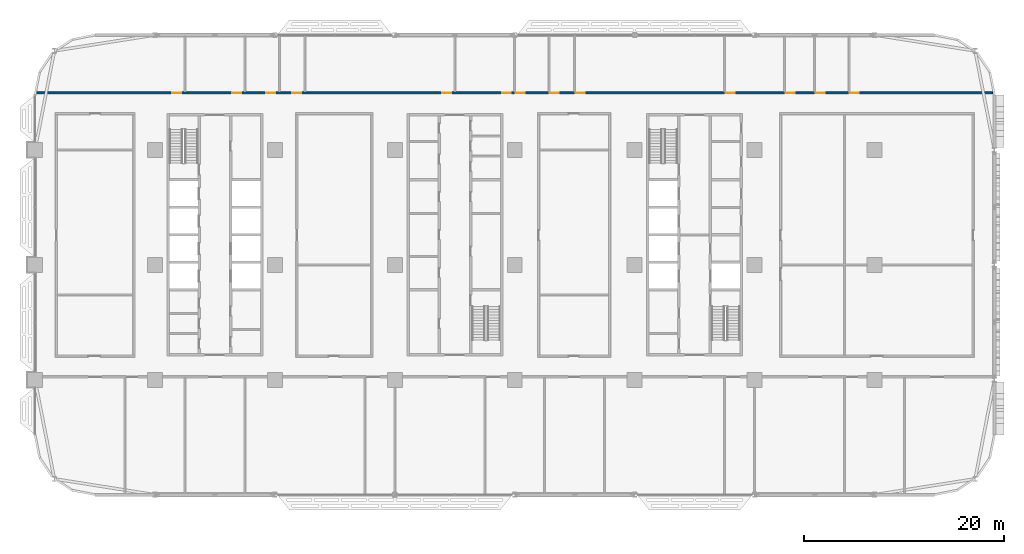
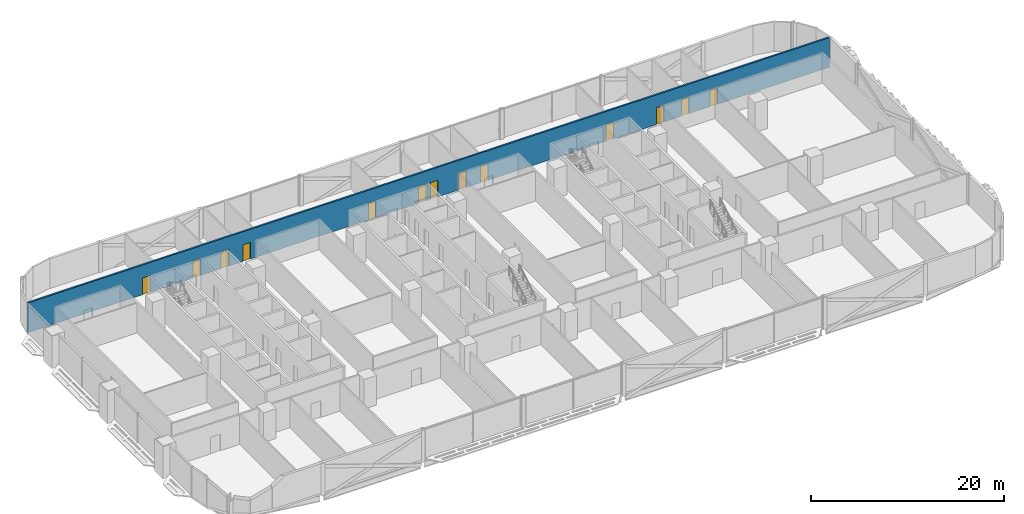
# One storey, part 15 of 29: 13 doors, 1 wall, 13 openings.
"""IFC4 building model written with IfcOpenShell, lengths in metres."""

from ifc_helpers import new_model, si_unit, direction, frame, frame_2d, origin, place, context, subcontext, project, spatial, rectangle, extrude, material, layer, layer_set, type_object, element, fill, save


model = new_model("IFC4")

# Units and contexts
model_context = context("Model", 3, precision=1e-05, world=origin(), true_north=direction((0.0, 1.0)))
body_context = subcontext(model_context, "Body", "Model", "MODEL_VIEW")
ifc_project = project(units=[si_unit("LENGTHUNIT", "METRE"), si_unit("AREAUNIT", "SQUARE_METRE"), si_unit("VOLUMEUNIT", "CUBIC_METRE"), si_unit("PLANEANGLEUNIT", "RADIAN"), si_unit("MASSUNIT", "GRAM", prefix="KILO")], contexts=[model_context])

# Site, building, storey
site_placement = place(None, origin())
site = spatial("IfcSite", under=ifc_project, at=site_placement, CompositionType="ELEMENT")
building_placement = place(site_placement, origin())
building = spatial("IfcBuilding", under=site, at=building_placement, Name="Mahtab Terrace Research Tower", CompositionType="ELEMENT")
storey_placement = place(building_placement, frame((0.0, 0.0, 76.10009765625)))
storey = spatial("IfcBuildingStorey", under=building, at=storey_placement, Name="L17", CompositionType="ELEMENT", Elevation=76.10009765625)

# Wall, openings, doors
ifc_material_1 = material(Name="Gypsum board corridor wall on steel studs", Category="steel")
ifc_layer = layer(ifc_material_1, 0.199951171875)
ifc_layer_set = layer_set([ifc_layer], Name="WALL CORRIDOR 200")
wall_type = type_object("IfcWallType", Name="WALL CORRIDOR 200", PredefinedType="PARTITIONING", material=ifc_layer_set)
wall_placement = place(storey_placement, frame((-41.97509765625, 17.199951171875, 0.0), z_axis=(0.0, 0.0, 1.0), x_axis=(1.0, 0.0, 0.0)))
wall = element("IfcWall", 1, at=wall_placement, inside=storey, type_object=wall_type, Name="L17-W024", PredefinedType="PARTITIONING", context=body_context, shape_type="SweptSolid", body=[
    extrude(rectangle(XDim=95.782470703125, YDim=0.199951171875, at=frame_2d((47.89111328125, 0.0))), origin(), (0.0, 0.0, 1.0), 3.75),
])
opening_1_placement = place(wall_placement, frame((13.699951171875, 0.0, 0.0)))
opening_1 = element("IfcOpeningElement", 2, at=opening_1_placement, cuts=wall, Name="Opening L17-126", PredefinedType="OPENING", context=body_context, shape_type="SweptSolid", body=[
    extrude(rectangle(XDim=0.89990234375, YDim=2.10009765625, at=frame_2d((0.449951171875, 1.050048828125))), frame((0.0, 0.10986328125, 0.0), z_axis=(0.0, -1.0, 0.0), x_axis=(1.0, 0.0, 0.0)), (0.0, 0.0, 1.0), 0.219970703125),
])
opening_2_placement = place(wall_placement, frame((19.699951171875, 0.0, 0.0)))
opening_2 = element("IfcOpeningElement", 3, at=opening_2_placement, cuts=wall, Name="Opening L17-127", PredefinedType="OPENING", context=body_context, shape_type="SweptSolid", body=[
    extrude(rectangle(XDim=0.89990234375, YDim=2.10009765625, at=frame_2d((0.449951171875, 1.050048828125))), frame((0.0, 0.10986328125, 0.0), z_axis=(0.0, -1.0, 0.0), x_axis=(1.0, 0.0, 0.0)), (0.0, 0.0, 1.0), 0.219970703125),
])
opening_3_placement = place(wall_placement, frame((23.10009765625, 0.0, 0.0)))
opening_3 = element("IfcOpeningElement", 4, at=opening_3_placement, cuts=wall, Name="Opening L17-128", PredefinedType="OPENING", context=body_context, shape_type="SweptSolid", body=[
    extrude(rectangle(XDim=0.89990234375, YDim=2.10009765625, at=frame_2d((0.449951171875, 1.050048828125))), frame((0.0, 0.10986328125, 0.0), z_axis=(0.0, -1.0, 0.0), x_axis=(1.0, 0.0, 0.0)), (0.0, 0.0, 1.0), 0.219970703125),
])
opening_4_placement = place(wall_placement, frame((25.699951171875, 0.0, 0.0)))
opening_4 = element("IfcOpeningElement", 5, at=opening_4_placement, cuts=wall, Name="Opening L17-129", PredefinedType="OPENING", context=body_context, shape_type="SweptSolid", body=[
    extrude(rectangle(XDim=0.89990234375, YDim=2.10009765625, at=frame_2d((0.449951171875, 1.050048828125))), frame((0.0, 0.10986328125, 0.0), z_axis=(0.0, -1.0, 0.0), x_axis=(1.0, 0.0, 0.0)), (0.0, 0.0, 1.0), 0.219970703125),
])
opening_5_placement = place(wall_placement, frame((40.699951171875, 0.0, 0.0)))
opening_5 = element("IfcOpeningElement", 6, at=opening_5_placement, cuts=wall, Name="Opening L17-130", PredefinedType="OPENING", context=body_context, shape_type="SweptSolid", body=[
    extrude(rectangle(XDim=0.89990234375, YDim=2.10009765625, at=frame_2d((0.449951171875, 1.050048828125))), frame((0.0, 0.10986328125, 0.0), z_axis=(0.0, -1.0, 0.0), x_axis=(1.0, 0.0, 0.0)), (0.0, 0.0, 1.0), 0.219970703125),
])
opening_6_placement = place(wall_placement, frame((46.699951171875, 0.0, 0.0)))
opening_6 = element("IfcOpeningElement", 7, at=opening_6_placement, cuts=wall, Name="Opening L17-131", PredefinedType="OPENING", context=body_context, shape_type="SweptSolid", body=[
    extrude(rectangle(XDim=0.89990234375, YDim=2.10009765625, at=frame_2d((0.449951171875, 1.050048828125))), frame((0.0, 0.10986328125, 0.0), z_axis=(0.0, -1.0, 0.0), x_axis=(1.0, 0.0, 0.0)), (0.0, 0.0, 1.0), 0.219970703125),
])
opening_7_placement = place(wall_placement, frame((48.10009765625, 0.0, 0.0)))
opening_7 = element("IfcOpeningElement", 8, at=opening_7_placement, cuts=wall, Name="Opening L17-132", PredefinedType="OPENING", context=body_context, shape_type="SweptSolid", body=[
    extrude(rectangle(XDim=0.89990234375, YDim=2.10009765625, at=frame_2d((0.449951171875, 1.050048828125))), frame((0.0, 0.10986328125, 0.0), z_axis=(0.0, -1.0, 0.0), x_axis=(1.0, 0.0, 0.0)), (0.0, 0.0, 1.0), 0.219970703125),
])
opening_8_placement = place(wall_placement, frame((51.5, 0.0, 0.0)))
opening_8 = element("IfcOpeningElement", 9, at=opening_8_placement, cuts=wall, Name="Opening L17-133", PredefinedType="OPENING", context=body_context, shape_type="SweptSolid", body=[
    extrude(rectangle(XDim=0.89990234375, YDim=2.10009765625, at=frame_2d((0.449951171875, 1.050048828125))), frame((0.0, 0.10986328125, 0.0), z_axis=(0.0, -1.0, 0.0), x_axis=(1.0, 0.0, 0.0)), (0.0, 0.0, 1.0), 0.219970703125),
])
opening_9_placement = place(wall_placement, frame((54.10009765625, 0.0, 0.0)))
opening_9 = element("IfcOpeningElement", 10, at=opening_9_placement, cuts=wall, Name="Opening L17-134", PredefinedType="OPENING", context=body_context, shape_type="SweptSolid", body=[
    extrude(rectangle(XDim=0.89990234375, YDim=2.10009765625, at=frame_2d((0.449951171875, 1.050048828125))), frame((0.0, 0.10986328125, 0.0), z_axis=(0.0, -1.0, 0.0), x_axis=(1.0, 0.0, 0.0)), (0.0, 0.0, 1.0), 0.219970703125),
])
opening_10_placement = place(wall_placement, frame((69.10009765625, 0.0, 0.0)))
opening_10 = element("IfcOpeningElement", 11, at=opening_10_placement, cuts=wall, Name="Opening L17-135", PredefinedType="OPENING", context=body_context, shape_type="SweptSolid", body=[
    extrude(rectangle(XDim=0.89990234375, YDim=2.10009765625, at=frame_2d((0.449951171875, 1.050048828125))), frame((0.0, 0.10986328125, 0.0), z_axis=(0.0, -1.0, 0.0), x_axis=(1.0, 0.0, 0.0)), (0.0, 0.0, 1.0), 0.219970703125),
])
opening_11_placement = place(wall_placement, frame((75.10009765625, 0.0, 0.0)))
opening_11 = element("IfcOpeningElement", 12, at=opening_11_placement, cuts=wall, Name="Opening L17-136", PredefinedType="OPENING", context=body_context, shape_type="SweptSolid", body=[
    extrude(rectangle(XDim=0.89990234375, YDim=2.10009765625, at=frame_2d((0.449951171875, 1.050048828125))), frame((0.0, 0.10986328125, 0.0), z_axis=(0.0, -1.0, 0.0), x_axis=(1.0, 0.0, 0.0)), (0.0, 0.0, 1.0), 0.219970703125),
])
opening_12_placement = place(wall_placement, frame((78.10009765625, 0.0, 0.0)))
opening_12 = element("IfcOpeningElement", 13, at=opening_12_placement, cuts=wall, Name="Opening L17-137", PredefinedType="OPENING", context=body_context, shape_type="SweptSolid", body=[
    extrude(rectangle(XDim=0.89990234375, YDim=2.10009765625, at=frame_2d((0.449951171875, 1.050048828125))), frame((0.0, 0.10986328125, 0.0), z_axis=(0.0, -1.0, 0.0), x_axis=(1.0, 0.0, 0.0)), (0.0, 0.0, 1.0), 0.219970703125),
])
opening_13_placement = place(wall_placement, frame((81.5, 0.0, 0.0)))
opening_13 = element("IfcOpeningElement", 14, at=opening_13_placement, cuts=wall, Name="Opening L17-138", PredefinedType="OPENING", context=body_context, shape_type="SweptSolid", body=[
    extrude(rectangle(XDim=0.89990234375, YDim=2.10009765625, at=frame_2d((0.449951171875, 1.050048828125))), frame((0.0, 0.10986328125, 0.0), z_axis=(0.0, -1.0, 0.0), x_axis=(1.0, 0.0, 0.0)), (0.0, 0.0, 1.0), 0.219970703125),
])
ifc_material_2 = material(Name="Timber door leaf in steel frame", Category="steel")
door_type = type_object("IfcDoorType", Name="DOOR 0900X2100 FD30S", OperationType="SINGLE_SWING_LEFT", PredefinedType="DOOR", material=ifc_material_2)
door_1_placement = place(opening_1_placement, origin())
door_1 = element("IfcDoor", 15, at=door_1_placement, inside=storey, type_object=door_type, Name="Door L17-126", OperationType="SINGLE_SWING_LEFT", OverallHeight=2.10009765625, OverallWidth=0.89990234375, PredefinedType="DOOR", context=body_context, shape_type="SweptSolid", body=[
    extrude(rectangle(XDim=0.89990234375, YDim=2.10009765625, at=frame_2d((0.449951171875, 1.050048828125))), frame((0.0, 0.02490234375, 0.0), z_axis=(0.0, -1.0, 0.0), x_axis=(1.0, 0.0, 0.0)), (0.0, 0.0, 1.0), 0.050048828125),
])
fill(opening_1, door_1)
door_2_placement = place(opening_2_placement, origin())
door_2 = element("IfcDoor", 16, at=door_2_placement, inside=storey, type_object=door_type, Name="Door L17-127", OperationType="SINGLE_SWING_LEFT", OverallHeight=2.10009765625, OverallWidth=0.89990234375, PredefinedType="DOOR", context=body_context, shape_type="SweptSolid", body=[
    extrude(rectangle(XDim=0.89990234375, YDim=2.10009765625, at=frame_2d((0.449951171875, 1.050048828125))), frame((0.0, 0.02490234375, 0.0), z_axis=(0.0, -1.0, 0.0), x_axis=(1.0, 0.0, 0.0)), (0.0, 0.0, 1.0), 0.050048828125),
])
fill(opening_2, door_2)
door_3_placement = place(opening_3_placement, origin())
door_3 = element("IfcDoor", 17, at=door_3_placement, inside=storey, type_object=door_type, Name="Door L17-128", OperationType="SINGLE_SWING_LEFT", OverallHeight=2.10009765625, OverallWidth=0.89990234375, PredefinedType="DOOR", context=body_context, shape_type="SweptSolid", body=[
    extrude(rectangle(XDim=0.89990234375, YDim=2.10009765625, at=frame_2d((0.449951171875, 1.050048828125))), frame((0.0, 0.02490234375, 0.0), z_axis=(0.0, -1.0, 0.0), x_axis=(1.0, 0.0, 0.0)), (0.0, 0.0, 1.0), 0.050048828125),
])
fill(opening_3, door_3)
door_4_placement = place(opening_4_placement, origin())
door_4 = element("IfcDoor", 18, at=door_4_placement, inside=storey, type_object=door_type, Name="Door L17-129", OperationType="SINGLE_SWING_LEFT", OverallHeight=2.10009765625, OverallWidth=0.89990234375, PredefinedType="DOOR", context=body_context, shape_type="SweptSolid", body=[
    extrude(rectangle(XDim=0.89990234375, YDim=2.10009765625, at=frame_2d((0.449951171875, 1.050048828125))), frame((0.0, 0.02490234375, 0.0), z_axis=(0.0, -1.0, 0.0), x_axis=(1.0, 0.0, 0.0)), (0.0, 0.0, 1.0), 0.050048828125),
])
fill(opening_4, door_4)
door_5_placement = place(opening_5_placement, origin())
door_5 = element("IfcDoor", 19, at=door_5_placement, inside=storey, type_object=door_type, Name="Door L17-130", OperationType="SINGLE_SWING_LEFT", OverallHeight=2.10009765625, OverallWidth=0.89990234375, PredefinedType="DOOR", context=body_context, shape_type="SweptSolid", body=[
    extrude(rectangle(XDim=0.89990234375, YDim=2.10009765625, at=frame_2d((0.449951171875, 1.050048828125))), frame((0.0, 0.02490234375, 0.0), z_axis=(0.0, -1.0, 0.0), x_axis=(1.0, 0.0, 0.0)), (0.0, 0.0, 1.0), 0.050048828125),
])
fill(opening_5, door_5)
door_6_placement = place(opening_6_placement, origin())
door_6 = element("IfcDoor", 20, at=door_6_placement, inside=storey, type_object=door_type, Name="Door L17-131", OperationType="SINGLE_SWING_LEFT", OverallHeight=2.10009765625, OverallWidth=0.89990234375, PredefinedType="DOOR", context=body_context, shape_type="SweptSolid", body=[
    extrude(rectangle(XDim=0.89990234375, YDim=2.10009765625, at=frame_2d((0.449951171875, 1.050048828125))), frame((0.0, 0.02490234375, 0.0), z_axis=(0.0, -1.0, 0.0), x_axis=(1.0, 0.0, 0.0)), (0.0, 0.0, 1.0), 0.050048828125),
])
fill(opening_6, door_6)
door_7_placement = place(opening_7_placement, origin())
door_7 = element("IfcDoor", 21, at=door_7_placement, inside=storey, type_object=door_type, Name="Door L17-132", OperationType="SINGLE_SWING_RIGHT", OverallHeight=2.10009765625, OverallWidth=0.89990234375, PredefinedType="DOOR", context=body_context, shape_type="SweptSolid", body=[
    extrude(rectangle(XDim=0.89990234375, YDim=2.10009765625, at=frame_2d((0.449951171875, 1.050048828125))), frame((0.0, 0.02490234375, 0.0), z_axis=(0.0, -1.0, 0.0), x_axis=(1.0, 0.0, 0.0)), (0.0, 0.0, 1.0), 0.050048828125),
])
fill(opening_7, door_7)
door_8_placement = place(opening_8_placement, origin())
door_8 = element("IfcDoor", 22, at=door_8_placement, inside=storey, type_object=door_type, Name="Door L17-133", OperationType="SINGLE_SWING_RIGHT", OverallHeight=2.10009765625, OverallWidth=0.89990234375, PredefinedType="DOOR", context=body_context, shape_type="SweptSolid", body=[
    extrude(rectangle(XDim=0.89990234375, YDim=2.10009765625, at=frame_2d((0.449951171875, 1.050048828125))), frame((0.0, 0.02490234375, 0.0), z_axis=(0.0, -1.0, 0.0), x_axis=(1.0, 0.0, 0.0)), (0.0, 0.0, 1.0), 0.050048828125),
])
fill(opening_8, door_8)
door_9_placement = place(opening_9_placement, origin())
door_9 = element("IfcDoor", 23, at=door_9_placement, inside=storey, type_object=door_type, Name="Door L17-134", OperationType="SINGLE_SWING_RIGHT", OverallHeight=2.10009765625, OverallWidth=0.89990234375, PredefinedType="DOOR", context=body_context, shape_type="SweptSolid", body=[
    extrude(rectangle(XDim=0.89990234375, YDim=2.10009765625, at=frame_2d((0.449951171875, 1.050048828125))), frame((0.0, 0.02490234375, 0.0), z_axis=(0.0, -1.0, 0.0), x_axis=(1.0, 0.0, 0.0)), (0.0, 0.0, 1.0), 0.050048828125),
])
fill(opening_9, door_9)
door_10_placement = place(opening_10_placement, origin())
door_10 = element("IfcDoor", 24, at=door_10_placement, inside=storey, type_object=door_type, Name="Door L17-135", OperationType="SINGLE_SWING_RIGHT", OverallHeight=2.10009765625, OverallWidth=0.89990234375, PredefinedType="DOOR", context=body_context, shape_type="SweptSolid", body=[
    extrude(rectangle(XDim=0.89990234375, YDim=2.10009765625, at=frame_2d((0.449951171875, 1.050048828125))), frame((0.0, 0.02490234375, 0.0), z_axis=(0.0, -1.0, 0.0), x_axis=(1.0, 0.0, 0.0)), (0.0, 0.0, 1.0), 0.050048828125),
])
fill(opening_10, door_10)
door_11_placement = place(opening_11_placement, origin())
door_11 = element("IfcDoor", 25, at=door_11_placement, inside=storey, type_object=door_type, Name="Door L17-136", OperationType="SINGLE_SWING_RIGHT", OverallHeight=2.10009765625, OverallWidth=0.89990234375, PredefinedType="DOOR", context=body_context, shape_type="SweptSolid", body=[
    extrude(rectangle(XDim=0.89990234375, YDim=2.10009765625, at=frame_2d((0.449951171875, 1.050048828125))), frame((0.0, 0.02490234375, 0.0), z_axis=(0.0, -1.0, 0.0), x_axis=(1.0, 0.0, 0.0)), (0.0, 0.0, 1.0), 0.050048828125),
])
fill(opening_11, door_11)
door_12_placement = place(opening_12_placement, origin())
door_12 = element("IfcDoor", 26, at=door_12_placement, inside=storey, type_object=door_type, Name="Door L17-137", OperationType="SINGLE_SWING_RIGHT", OverallHeight=2.10009765625, OverallWidth=0.89990234375, PredefinedType="DOOR", context=body_context, shape_type="SweptSolid", body=[
    extrude(rectangle(XDim=0.89990234375, YDim=2.10009765625, at=frame_2d((0.449951171875, 1.050048828125))), frame((0.0, 0.02490234375, 0.0), z_axis=(0.0, -1.0, 0.0), x_axis=(1.0, 0.0, 0.0)), (0.0, 0.0, 1.0), 0.050048828125),
])
fill(opening_12, door_12)
door_13_placement = place(opening_13_placement, origin())
door_13 = element("IfcDoor", 27, at=door_13_placement, inside=storey, type_object=door_type, Name="Door L17-138", OperationType="SINGLE_SWING_RIGHT", OverallHeight=2.10009765625, OverallWidth=0.89990234375, PredefinedType="DOOR", context=body_context, shape_type="SweptSolid", body=[
    extrude(rectangle(XDim=0.89990234375, YDim=2.10009765625, at=frame_2d((0.449951171875, 1.050048828125))), frame((0.0, 0.02490234375, 0.0), z_axis=(0.0, -1.0, 0.0), x_axis=(1.0, 0.0, 0.0)), (0.0, 0.0, 1.0), 0.050048828125),
])
fill(opening_13, door_13)

save(model, "model.ifc")
